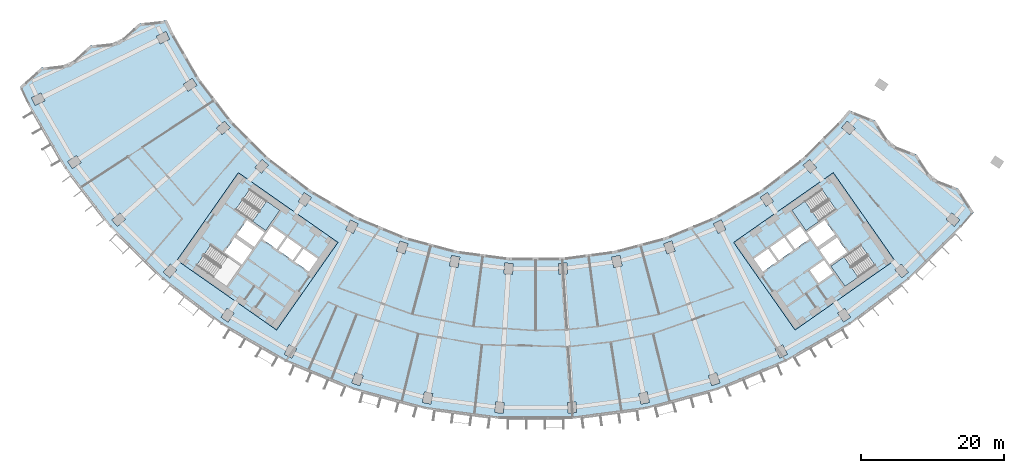
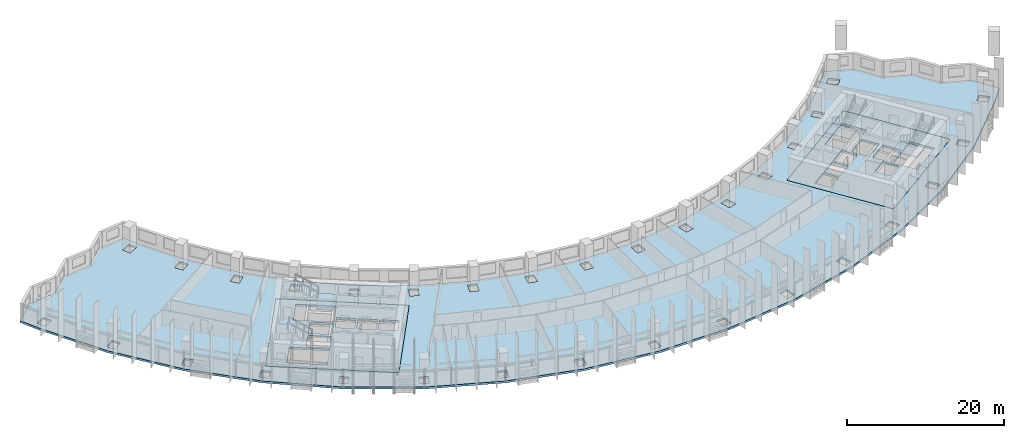
# One storey, part 2 of 30: 6 slabs, 3 elements without a shape of their own.
"""IFC4 building model written with IfcOpenShell, lengths in metres."""

from ifc_helpers import new_model, si_unit, direction, frame, origin, place, context, subcontext, project, spatial, polyline, outline, extrude, material, layer, layer_set, type_object, element, aggregate, save


model = new_model("IFC4")

# Units and contexts
model_context = context("Model", 3, precision=1e-05, world=origin(), true_north=direction((0.0, 1.0)))
body_context = subcontext(model_context, "Body", "Model", "MODEL_VIEW")
ifc_project = project(units=[si_unit("LENGTHUNIT", "METRE"), si_unit("AREAUNIT", "SQUARE_METRE"), si_unit("VOLUMEUNIT", "CUBIC_METRE"), si_unit("PLANEANGLEUNIT", "RADIAN"), si_unit("MASSUNIT", "GRAM", prefix="KILO")], contexts=[model_context])

# Site, building, storey
site_placement = place(None, origin())
site = spatial("IfcSite", under=ifc_project, at=site_placement, CompositionType="ELEMENT")
building_placement = place(site_placement, origin())
building = spatial("IfcBuilding", under=site, at=building_placement, Name="Qamariyya Broadcast Tower", CompositionType="ELEMENT")
storey_placement = place(building_placement, frame((0.0, 0.0, 117.699951171875)))
storey = spatial("IfcBuildingStorey", under=building, at=storey_placement, Name="L26", CompositionType="ELEMENT", Elevation=117.699951171875)

# Slabs
ifc_material_1 = material(Name="Concrete C40/50", Category="concrete")
ifc_layer_1 = layer(ifc_material_1, 0.300048828125)
ifc_layer_set_1 = layer_set([ifc_layer_1], Name="Core floor slab 300 mm Concrete C40/50")
slab_type_1 = type_object("IfcSlabType", Name="Core floor slab 300 mm Concrete C40/50", PredefinedType="FLOOR", material=ifc_layer_set_1)
slab_1_placement = place(storey_placement, frame((0.0, 0.0, -0.300048828125)))
element("IfcSlab", 1, at=slab_1_placement, inside=storey, type_object=slab_type_1, Name="k-W-L26-slab", PredefinedType="FLOOR", context=body_context, shape_type="SweptSolid", body=[
    extrude(outline(polyline([(-50.286376953125, -56.95751953125), (-36.32373046875, -66.734375), (-27.719970703125, -54.447021484375), (-41.6826171875, -44.67041015625), (-50.286376953125, -56.95751953125)]), holes=[polyline([(-31.80859375, -58.542724609375), (-33.8154296875, -57.137451171875), (-32.5537109375, -55.335205078125), (-30.546630859375, -56.740478515625), (-31.80859375, -58.542724609375)]), polyline([(-34.061279296875, -56.96533203125), (-36.068115234375, -55.56005859375), (-34.806396484375, -53.758056640625), (-32.79931640625, -55.163330078125), (-34.061279296875, -56.96533203125)]), polyline([(-36.31396484375, -55.387939453125), (-38.32080078125, -53.982666015625), (-37.058837890625, -52.1806640625), (-35.052001953125, -53.5859375), (-36.31396484375, -55.387939453125)]), polyline([(-39.742431640625, -55.489990234375), (-42.199951171875, -53.769287109375), (-43.6337890625, -55.817138671875), (-41.17626953125, -57.537841796875), (-39.742431640625, -55.489990234375)]), polyline([(-39.45556640625, -55.080322265625), (-41.9130859375, -53.359619140625), (-40.47900390625, -51.311767578125), (-38.021728515625, -53.032470703125), (-39.45556640625, -55.080322265625)]), polyline([(-42.06103515625, -49.837890625), (-37.849609375, -52.78662109375), (-35.870849609375, -49.960693359375), (-40.082275390625, -47.01171875), (-42.06103515625, -49.837890625)]), polyline([(-47.538818359375, -57.66064453125), (-43.3271484375, -60.609619140625), (-41.348388671875, -57.783447265625), (-45.559814453125, -54.834716796875), (-47.538818359375, -57.66064453125)])]), origin(), (0.0, 0.0, 1.0), 0.300048828125),
])
slab_2_placement = place(storey_placement, frame((0.0, 0.0, -0.300048828125)))
element("IfcSlab", 2, at=slab_2_placement, inside=storey, type_object=slab_type_1, Name="k-E-L26-slab", PredefinedType="FLOOR", context=body_context, shape_type="SweptSolid", body=[
    extrude(outline(polyline([(36.32373046875, -66.734375), (50.286376953125, -56.95751953125), (41.6826171875, -44.67041015625), (27.719970703125, -54.447021484375), (36.32373046875, -66.734375)]), holes=[polyline([(31.80859375, -58.542724609375), (33.8154296875, -57.137451171875), (32.5537109375, -55.335205078125), (30.546630859375, -56.740478515625), (31.80859375, -58.542724609375)]), polyline([(34.061279296875, -56.96533203125), (36.068115234375, -55.56005859375), (34.806396484375, -53.758056640625), (32.79931640625, -55.163330078125), (34.061279296875, -56.96533203125)]), polyline([(36.31396484375, -55.387939453125), (38.32080078125, -53.982666015625), (37.058837890625, -52.1806640625), (35.052001953125, -53.5859375), (36.31396484375, -55.387939453125)]), polyline([(38.378662109375, -58.3369140625), (40.3857421875, -56.931640625), (41.6474609375, -58.73388671875), (39.640625, -60.13916015625), (38.378662109375, -58.3369140625)]), polyline([(39.742431640625, -55.489990234375), (42.199951171875, -53.769287109375), (43.6337890625, -55.817138671875), (41.17626953125, -57.537841796875), (39.742431640625, -55.489990234375)]), polyline([(39.45556640625, -55.080322265625), (41.9130859375, -53.359619140625), (40.47900390625, -51.311767578125), (38.021728515625, -53.032470703125), (39.45556640625, -55.080322265625)]), polyline([(40.082275390625, -47.01171875), (35.870849609375, -49.960693359375), (37.849609375, -52.78662109375), (42.06103515625, -49.837890625), (40.082275390625, -47.01171875)]), polyline([(45.559814453125, -54.834716796875), (41.348388671875, -57.783447265625), (43.3271484375, -60.609619140625), (47.538818359375, -57.66064453125), (45.559814453125, -54.834716796875)])]), origin(), (0.0, 0.0, 1.0), 0.300048828125),
])
ifc_layer_2 = layer(ifc_material_1, 0.300048828125)
ifc_layer_set_2 = layer_set([ifc_layer_2], Name="Post-tensioned floor slab 300 C40/50")
slab_type_2 = type_object("IfcSlabType", Name="Post-tensioned floor slab 300 C40/50", PredefinedType="FLOOR", material=ifc_layer_set_2)
slab_3_placement = place(storey_placement, frame((0.0, 0.0, -0.300048828125)))
element("IfcSlab", 3, at=slab_3_placement, inside=storey, type_object=slab_type_2, Name="Floor slab S4 L26", PredefinedType="FLOOR", context=body_context, shape_type="SweptSolid", body=[
    extrude(outline(polyline([(-69.330810546875, -29.975341796875), (-72.279052734375, -32.62255859375), (-71.1220703125, -35.073486328125), (-65.935546875, -44.056640625), (-59.620849609375, -52.2861328125), (-52.2861328125, -59.620849609375), (-44.056640625, -65.935546875), (-35.073486328125, -71.1220703125), (-25.490234375, -75.091552734375), (-15.470703125, -77.7763671875), (-5.1865234375, -79.130126953125), (5.1865234375, -79.130126953125), (15.470703125, -77.7763671875), (25.490234375, -75.091552734375), (35.073486328125, -71.1220703125), (44.056640625, -65.935546875), (52.2861328125, -59.620849609375), (59.620849609375, -52.2861328125), (61.372802734375, -50.21826171875), (59.210205078125, -46.898193359375), (55.54248046875, -45.447509765625), (53.379150390625, -42.126953125), (49.712158203125, -40.677001953125), (47.5478515625, -37.35546875), (43.8818359375, -35.90625), (42.62939453125, -37.385009765625), (37.385009765625, -42.62939453125), (31.500732421875, -47.144287109375), (25.077880859375, -50.852783203125), (18.2255859375, -53.69091796875), (11.0615234375, -55.610595703125), (3.708251953125, -56.57861328125), (-3.708251953125, -56.57861328125), (-11.0615234375, -55.610595703125), (-18.2255859375, -53.69091796875), (-25.077880859375, -50.852783203125), (-31.500732421875, -47.144287109375), (-37.385009765625, -42.62939453125), (-42.62939453125, -37.385009765625), (-47.144287109375, -31.500732421875), (-50.852783203125, -25.077880859375), (-51.679931640625, -23.325439453125), (-55.595947265625, -23.7763671875), (-58.54638671875, -26.42431640625), (-62.46337890625, -26.8759765625), (-65.41259765625, -29.5234375), (-69.330810546875, -29.975341796875)]), holes=[polyline([(-5.73291015625, -78.292724609375), (-5.634765625, -76.7958984375), (-4.437255859375, -76.874267578125), (-4.535400390625, -78.37109375), (-5.73291015625, -78.292724609375)]), polyline([(-15.903076171875, -76.87451171875), (-15.6103515625, -75.4033203125), (-14.43359375, -75.637451171875), (-14.72607421875, -77.108642578125), (-15.903076171875, -76.87451171875)]), polyline([(-25.80126953125, -74.14111328125), (-25.319091796875, -72.720703125), (-24.1826171875, -73.1064453125), (-24.664794921875, -74.52685546875), (-25.80126953125, -74.14111328125)]), polyline([(-35.2578125, -70.13916015625), (-34.59423828125, -68.7939453125), (-33.51806640625, -69.324462890625), (-34.181640625, -70.669921875), (-35.2578125, -70.13916015625)]), polyline([(-44.111083984375, -64.93701171875), (-43.27783203125, -63.689697265625), (-42.280029296875, -64.3564453125), (-43.11328125, -65.603759765625), (-44.111083984375, -64.93701171875)]), polyline([(-52.209716796875, -58.623779296875), (-51.220703125, -57.49609375), (-50.318603515625, -58.287353515625), (-51.3076171875, -59.4150390625), (-52.209716796875, -58.623779296875)]), polyline([(-12.098876953125, -57.749267578125), (-11.80615234375, -56.278076171875), (-10.629150390625, -56.51220703125), (-10.921875, -57.9833984375), (-12.098876953125, -57.749267578125)]), polyline([(-41.6826171875, -44.67041015625), (-27.719970703125, -54.447021484375), (-36.32373046875, -66.734375), (-50.286376953125, -56.95751953125), (-41.6826171875, -44.67041015625)]), polyline([(-19.051025390625, -54.255615234375), (-17.91455078125, -54.641357421875), (-18.396728515625, -56.061767578125), (-19.533203125, -55.676025390625), (-19.051025390625, -54.255615234375)]), polyline([(-26.633056640625, -52.650146484375), (-25.9697265625, -51.3046875), (-24.8935546875, -51.83544921875), (-25.556884765625, -53.180908203125), (-26.633056640625, -52.650146484375)]), polyline([(-59.4150390625, -51.3076171875), (-58.287353515625, -50.318603515625), (-57.49609375, -51.220703125), (-58.623779296875, -52.209716796875), (-59.4150390625, -51.3076171875)]), polyline([(-33.277587890625, -48.723388671875), (-32.444091796875, -47.47607421875), (-31.4462890625, -48.142822265625), (-32.27978515625, -49.39013671875), (-33.277587890625, -48.723388671875)]), polyline([(-39.3525390625, -43.962890625), (-38.363525390625, -42.835205078125), (-37.461181640625, -43.62646484375), (-38.4501953125, -44.754150390625), (-39.3525390625, -43.962890625)]), polyline([(-65.603759765625, -43.11328125), (-64.3564453125, -42.280029296875), (-63.689697265625, -43.27783203125), (-64.93701171875, -44.111083984375), (-65.603759765625, -43.11328125)]), polyline([(-44.754150390625, -38.4501953125), (-43.62646484375, -37.461181640625), (-42.835205078125, -38.363525390625), (-43.962890625, -39.3525390625), (-44.754150390625, -38.4501953125)]), polyline([(-70.669921875, -34.181640625), (-69.324462890625, -33.51806640625), (-68.7939453125, -34.59423828125), (-70.13916015625, -35.2578125), (-70.669921875, -34.181640625)]), polyline([(-48.142822265625, -31.4462890625), (-47.47607421875, -32.444091796875), (-48.723388671875, -33.277587890625), (-49.39013671875, -32.27978515625), (-48.142822265625, -31.4462890625)]), polyline([(-51.83544921875, -24.8935546875), (-51.3046875, -25.9697265625), (-52.650146484375, -26.633056640625), (-53.180908203125, -25.556884765625), (-51.83544921875, -24.8935546875)]), polyline([(4.535400390625, -78.37109375), (4.437255859375, -76.874267578125), (5.634765625, -76.7958984375), (5.73291015625, -78.292724609375), (4.535400390625, -78.37109375)]), polyline([(14.72607421875, -77.108642578125), (14.43359375, -75.637451171875), (15.6103515625, -75.4033203125), (15.903076171875, -76.87451171875), (14.72607421875, -77.108642578125)]), polyline([(24.664794921875, -74.52685546875), (24.1826171875, -73.1064453125), (25.319091796875, -72.720703125), (25.80126953125, -74.14111328125), (24.664794921875, -74.52685546875)]), polyline([(34.181640625, -70.669921875), (33.51806640625, -69.324462890625), (34.59423828125, -68.7939453125), (35.2578125, -70.13916015625), (34.181640625, -70.669921875)]), polyline([(43.11328125, -65.603759765625), (42.280029296875, -64.3564453125), (43.27783203125, -63.689697265625), (44.111083984375, -64.93701171875), (43.11328125, -65.603759765625)]), polyline([(51.3076171875, -59.4150390625), (50.318603515625, -58.287353515625), (51.220703125, -57.49609375), (52.209716796875, -58.623779296875), (51.3076171875, -59.4150390625)]), polyline([(3.260009765625, -58.912841796875), (3.161865234375, -57.416015625), (4.359375, -57.337646484375), (4.45751953125, -58.83447265625), (3.260009765625, -58.912841796875)]), polyline([(-4.359375, -57.337646484375), (-3.161865234375, -57.416015625), (-3.260009765625, -58.912841796875), (-4.45751953125, -58.83447265625), (-4.359375, -57.337646484375)]), polyline([(10.629150390625, -56.51220703125), (11.80615234375, -56.278076171875), (12.098876953125, -57.749267578125), (10.921875, -57.9833984375), (10.629150390625, -56.51220703125)]), polyline([(36.32373046875, -66.734375), (27.719970703125, -54.447021484375), (41.6826171875, -44.67041015625), (50.286376953125, -56.95751953125), (36.32373046875, -66.734375)]), polyline([(18.396728515625, -56.061767578125), (17.91455078125, -54.641357421875), (19.051025390625, -54.255615234375), (19.533203125, -55.676025390625), (18.396728515625, -56.061767578125)]), polyline([(25.556884765625, -53.180908203125), (24.8935546875, -51.83544921875), (25.9697265625, -51.3046875), (26.633056640625, -52.650146484375), (25.556884765625, -53.180908203125)]), polyline([(58.623779296875, -52.209716796875), (57.49609375, -51.220703125), (58.287353515625, -50.318603515625), (59.4150390625, -51.3076171875), (58.623779296875, -52.209716796875)]), polyline([(32.27978515625, -49.39013671875), (31.4462890625, -48.142822265625), (32.444091796875, -47.47607421875), (33.277587890625, -48.723388671875), (32.27978515625, -49.39013671875)]), polyline([(38.4501953125, -44.754150390625), (37.461181640625, -43.62646484375), (38.363525390625, -42.835205078125), (39.3525390625, -43.962890625), (38.4501953125, -44.754150390625)]), polyline([(42.835205078125, -38.363525390625), (43.62646484375, -37.461181640625), (44.754150390625, -38.4501953125), (43.962890625, -39.3525390625), (42.835205078125, -38.363525390625)])]), origin(), (0.0, 0.0, 1.0), 0.300048828125),
])

# Stair, slab
ifc_material_2 = material(Name="Concrete C50/60", Category="concrete")
stair_type = type_object("IfcStairType", Name="Exit stair 22 risers of 173 mm", PredefinedType="HALF_TURN_STAIR", material=ifc_material_2)
stair_1_placement = place(storey_placement, origin())
stair_1 = element("IfcStair", 4, at=stair_1_placement, inside=storey, type_object=stair_type, Name="L26 Stair W2", PredefinedType="HALF_TURN_STAIR")
ifc_layer_3 = layer(ifc_material_2, 0.199951171875)
ifc_layer_set_3 = layer_set([ifc_layer_3], Name="Stair landing")
slab_type_3 = type_object("IfcSlabType", Name="Stair landing", PredefinedType="LANDING", material=ifc_layer_set_3)
slab_4_placement = place(storey_placement, frame((0.0, 0.0, 1.699951171875)))
slab_4 = element("IfcSlab", 5, at=slab_4_placement, type_object=slab_type_3, Name="ST-W2 landing 1", PredefinedType="LANDING", context=body_context, shape_type="SweptSolid", body=[
    extrude(outline(polyline([(-39.692138671875, -51.49658203125), (-37.849609375, -52.78662109375), (-35.870849609375, -49.960693359375), (-37.71337890625, -48.67041015625), (-39.692138671875, -51.49658203125)])), origin(), (0.0, 0.0, 1.0), 0.2001953125),
])
aggregate(stair_1, [slab_4])

stair_2_placement = place(storey_placement, origin())
stair_2 = element("IfcStair", 6, at=stair_2_placement, inside=storey, type_object=stair_type, Name="L26 Stair E2", PredefinedType="HALF_TURN_STAIR")
slab_5_placement = place(storey_placement, frame((0.0, 0.0, 1.699951171875)))
slab_5 = element("IfcSlab", 7, at=slab_5_placement, type_object=slab_type_3, Name="ST-E2 landing 1", PredefinedType="LANDING", context=body_context, shape_type="SweptSolid", body=[
    extrude(outline(polyline([(37.71337890625, -48.67041015625), (35.870849609375, -49.960693359375), (37.849609375, -52.78662109375), (39.692138671875, -51.49658203125), (37.71337890625, -48.67041015625)])), origin(), (0.0, 0.0, 1.0), 0.2001953125),
])
aggregate(stair_2, [slab_5])

stair_3_placement = place(storey_placement, origin())
stair_3 = element("IfcStair", 8, at=stair_3_placement, inside=storey, type_object=stair_type, Name="L26 Stair E1", PredefinedType="HALF_TURN_STAIR")
slab_6_placement = place(storey_placement, frame((0.0, 0.0, 1.699951171875)))
slab_6 = element("IfcSlab", 9, at=slab_6_placement, type_object=slab_type_3, Name="ST-E1 landing 1", PredefinedType="LANDING", context=body_context, shape_type="SweptSolid", body=[
    extrude(outline(polyline([(43.19091796875, -56.493408203125), (41.348388671875, -57.783447265625), (43.3271484375, -60.609619140625), (45.169677734375, -59.319580078125), (43.19091796875, -56.493408203125)])), origin(), (0.0, 0.0, 1.0), 0.2001953125),
])
aggregate(stair_3, [slab_6])

save(model, "model.ifc")
